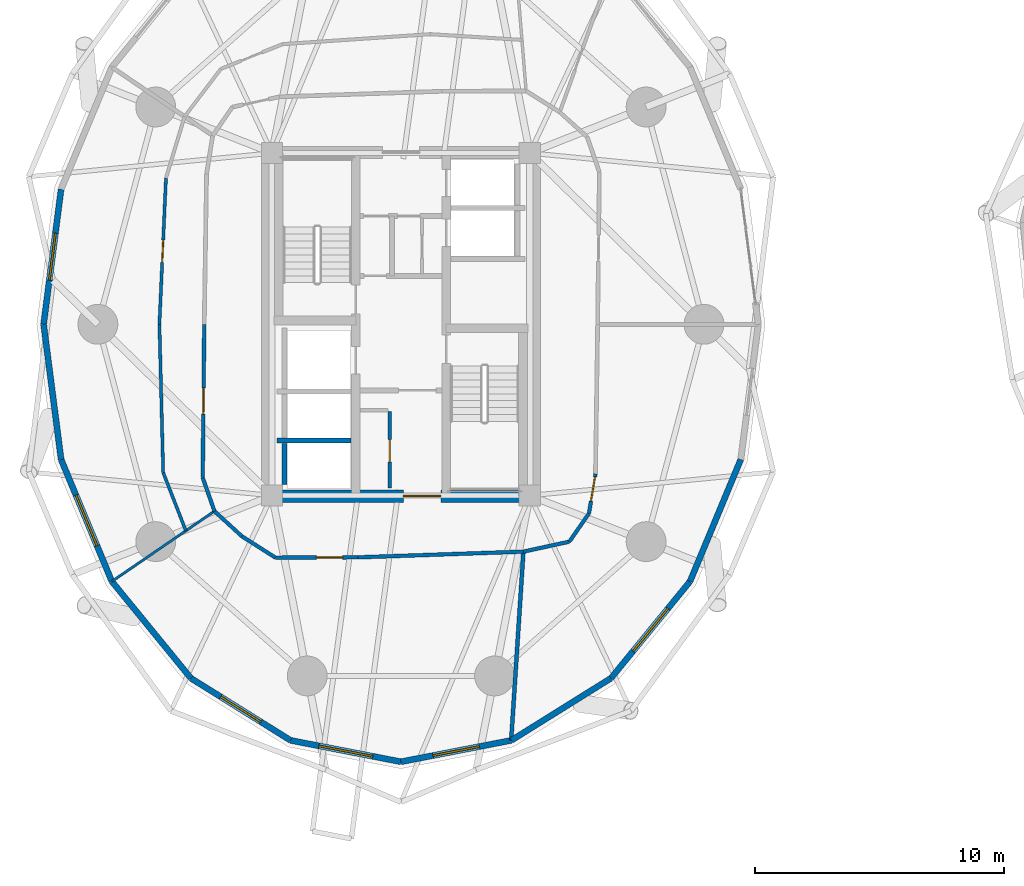
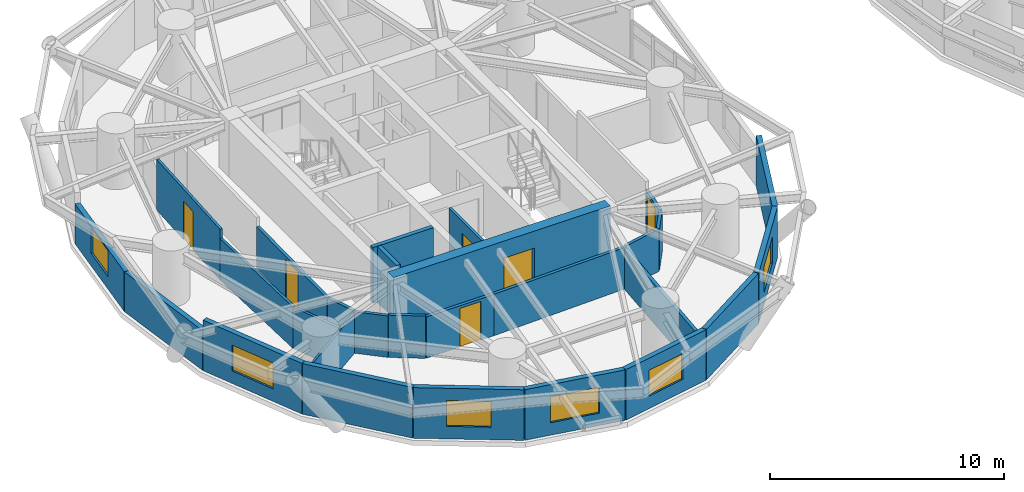
# One storey, part 9 of 17: 28 walls, 6 doors, 6 windows, 12 openings.
"""IFC4 building model written with IfcOpenShell, lengths in metres."""

from ifc_helpers import new_model, si_unit, direction, frame, frame_2d, origin, place, context, subcontext, project, spatial, rectangle, extrude, source, transform, mapped, material, layer, layer_set, type_object, element, fill, save


model = new_model("IFC4")

# Units and contexts
model_context = context("Model", 3, precision=1e-05, world=origin(), true_north=direction((0.0, 1.0)))
body_context = subcontext(model_context, "Body", "Model", "MODEL_VIEW")
ifc_project = project(units=[si_unit("LENGTHUNIT", "METRE"), si_unit("AREAUNIT", "SQUARE_METRE"), si_unit("VOLUMEUNIT", "CUBIC_METRE"), si_unit("PLANEANGLEUNIT", "RADIAN"), si_unit("MASSUNIT", "GRAM", prefix="KILO")], contexts=[model_context])

# Site, building, storey
site_placement = place(None, origin())
site = spatial("IfcSite", under=ifc_project, at=site_placement, CompositionType="ELEMENT")
building_placement = place(site_placement, origin())
building = spatial("IfcBuilding", under=site, at=building_placement, Name="Cununo Teusaquillo Station Towers", CompositionType="ELEMENT")
storey_placement = place(building_placement, frame((0.0, 0.0, 27.820068359375)))
storey = spatial("IfcBuildingStorey", under=building, at=storey_placement, Name="L07", CompositionType="ELEMENT", Elevation=27.820068359375)

# Walls
ifc_material_1 = material(Name="Concrete C50/60", Category="concrete")
ifc_layer_1 = layer(ifc_material_1, 0.199951171875)
ifc_layer_set_1 = layer_set([ifc_layer_1], Name="Concrete C50/60")
wall_type_1 = type_object("IfcWallType", Name="WL-CORE-200", PredefinedType="SHEAR", material=ifc_layer_set_1)
wall_1_placement = place(storey_placement, frame((11.52001953125, 19.824951171875, 0.0), z_axis=(0.0, 0.0, 1.0), x_axis=(1.0, 0.0, 0.0)))
element("IfcWall", 1, at=wall_1_placement, inside=storey, type_object=wall_type_1, Name="L07 Tower A High-Rise Lift Hoistway Divider Shear Wall", PredefinedType="SHEAR", context=body_context, shape_type="SweptSolid", body=[
    extrude(rectangle(XDim=2.969970703125, YDim=0.199951171875, at=frame_2d((1.48486328125, 0.0))), origin(), (0.0, 0.0, 1.0), 2.909912109375),
])
wall_2_placement = place(storey_placement, frame((11.820068359375, 18.070068359375, 0.0), z_axis=(0.0, 0.0, 1.0), x_axis=(0.0, 1.0, 0.0)))
element("IfcWall", 2, at=wall_2_placement, inside=storey, type_object=wall_type_1, Name="L07 Tower A High-Rise Lift 1 Shaft Rear Shear Wall", PredefinedType="SHEAR", context=body_context, shape_type="SweptSolid", body=[
    extrude(rectangle(XDim=1.635009765625, YDim=0.199951171875, at=frame_2d((0.8173828125, 0.0))), origin(), (0.0, 0.0, 1.0), 2.909912109375),
])

# Wall, opening, door
ifc_material_2 = material(Name="Concrete C60/75", Category="concrete")
ifc_layer_2 = layer(ifc_material_2, 0.5)
ifc_layer_set_2 = layer_set([ifc_layer_2], Name="Concrete C60/75")
wall_type_2 = type_object("IfcWallType", Name="WL-CORE-500", PredefinedType="SHEAR", material=ifc_layer_set_2)
wall_3_placement = place(storey_placement, frame((11.14990234375, 17.60009765625, 0.0), z_axis=(0.0, 0.0, 1.0), x_axis=(1.0, 0.0, 0.0)))
wall_3 = element("IfcWall", 3, at=wall_3_placement, inside=storey, type_object=wall_type_2, Name="L07 Tower A Core Shear Wall S", PredefinedType="SHEAR", context=body_context, shape_type="SweptSolid", body=[
    extrude(rectangle(XDim=10.7001953125, YDim=0.5, at=frame_2d((5.35009765625, 0.0))), origin(), (0.0, 0.0, 1.0), 2.909912109375),
])
shared_shape_1 = source(origin(), body_context, "Body", "SweptSolid", [
    extrude(rectangle(XDim=1.5, YDim=2.02001953125, at=frame_2d((0.75, 1.010009765625))), frame((0.0, 0.260009765625, 0.0), z_axis=(0.0, -1.0, 0.0), x_axis=(1.0, 0.0, 0.0)), (0.0, 0.0, 1.0), 0.52001953125),
])
opening_1_placement = place(wall_3_placement, frame((5.449951171875, 0.0, 0.0)))
opening_1 = element("IfcOpeningElement", 4, at=opening_1_placement, cuts=wall_3, Name="Opening D-LB1", PredefinedType="OPENING", context=body_context, shape_type="MappedRepresentation", body=[
    mapped(shared_shape_1, transform((0.0, 0.0, 0.0), x_axis=(1.0, 0.0, 0.0), y_axis=(0.0, 1.0, 0.0), z_axis=(0.0, 0.0, 1.0), scale=1.0)),
])
ifc_material_3 = material(Name="Galvanised fire-rated hollow steel door assembly", Category="steel")
door_type_1 = type_object("IfcDoorType", Name="DR-LOBBY-1500", OperationType="DOUBLE_DOOR_SINGLE_SWING", PredefinedType="DOOR", material=ifc_material_3)
shared_shape_2 = source(origin(), body_context, "Body", "SweptSolid", [
    extrude(rectangle(XDim=1.5, YDim=2.02001953125, at=frame_2d((0.75, 1.010009765625))), frame((0.0, 0.02490234375, 0.0), z_axis=(0.0, -1.0, 0.0), x_axis=(1.0, 0.0, 0.0)), (0.0, 0.0, 1.0), 0.050048828125),
])
door_1_placement = place(opening_1_placement, origin())
door_1 = element("IfcDoor", 5, at=door_1_placement, inside=storey, type_object=door_type_1, Name="L07 Tower A South Core Lift Lobby Door", OperationType="DOUBLE_DOOR_SINGLE_SWING", OverallHeight=2.02001953125, OverallWidth=1.5, PredefinedType="DOOR", context=body_context, shape_type="MappedRepresentation", body=[
    mapped(shared_shape_2, transform((0.0, 0.0, 0.0), x_axis=(1.0, 0.0, 0.0), y_axis=(0.0, 1.0, 0.0), z_axis=(0.0, 0.0, 1.0), scale=1.0)),
])
fill(opening_1, door_1)

# Wall, opening, window
ifc_material_4 = material(Name="Precast concrete C40/50", Category="concrete")
ifc_layer_3 = layer(ifc_material_4, 0.239990234375)
ifc_layer_set_3 = layer_set([ifc_layer_3], Name="Precast concrete C40/50")
wall_type_3 = type_object("IfcWallType", Name="WL-EXT-240", PredefinedType="SOLIDWALL", material=ifc_layer_set_3)
wall_4_placement = place(storey_placement, frame((2.14892578125, 24.5, 0.0), z_axis=(0.0, 0.0, 1.0), x_axis=(0.128298189174, 0.991735637483, 0.0)))
wall_4 = element("IfcWall", 6, at=wall_4_placement, inside=storey, type_object=wall_type_3, Name="L07 Tower A Exterior Facade Wall C09", PredefinedType="SOLIDWALL", context=body_context, shape_type="SweptSolid", body=[
    extrude(rectangle(XDim=5.474609375, YDim=0.239990234375, at=frame_2d((2.7373046875, 0.0))), origin(), (0.0, 0.0, 1.0), 2.072998046875),
])
shared_shape_3 = source(origin(), body_context, "Body", "SweptSolid", [
    extrude(rectangle(XDim=1.89990234375, YDim=1.35009765625, at=frame_2d((0.949951171875, 0.675048828125))), frame((0.0, 0.1298828125, 0.0), z_axis=(0.0, -1.0, 0.0), x_axis=(1.0, 0.0, 0.0)), (0.0, 0.0, 1.0), 0.260009765625),
])
opening_2_placement = place(wall_4_placement, frame((1.787109375, 0.0, 0.64990234375)))
opening_2 = element("IfcOpeningElement", 7, at=opening_2_placement, cuts=wall_4, Name="Opening WN-02", PredefinedType="OPENING", context=body_context, shape_type="MappedRepresentation", body=[
    mapped(shared_shape_3, transform((0.0, 0.0, 0.0), x_axis=(1.0, 0.0, 0.0), y_axis=(0.0, 1.0, 0.0), z_axis=(0.0, 0.0, 1.0), scale=1.0)),
])
ifc_material_5 = material(Name="Operable acoustic tinted low-E double glazing", Category="glass")
window_type_1 = type_object("IfcWindowType", Name="WIN-OPER-1900", PartitioningType="DOUBLE_PANEL_VERTICAL", PredefinedType="WINDOW", material=ifc_material_5)
shared_shape_4 = source(origin(), body_context, "Body", "SweptSolid", [
    extrude(rectangle(XDim=1.89990234375, YDim=1.35009765625, at=frame_2d((0.949951171875, 0.675048828125))), frame((0.0, 0.030029296875, 0.0), z_axis=(0.0, -1.0, 0.0), x_axis=(1.0, 0.0, 0.0)), (0.0, 0.0, 1.0), 0.06005859375),
])
window_1_placement = place(opening_2_placement, origin())
window_1 = element("IfcWindow", 8, at=window_1_placement, inside=storey, type_object=window_type_1, Name="L07 Tower A Facade Window C09", OverallHeight=1.35009765625, OverallWidth=1.89990234375, PartitioningType="DOUBLE_PANEL_VERTICAL", PredefinedType="WINDOW", context=body_context, shape_type="MappedRepresentation", body=[
    mapped(shared_shape_4, transform((0.0, 0.0, 0.0), x_axis=(1.0, 0.0, 0.0), y_axis=(0.0, 1.0, 0.0), z_axis=(0.0, 0.0, 1.0), scale=1.0)),
])
fill(opening_2, window_1)

# Wall
wall_5_placement = place(storey_placement, frame((2.851318359375, 19.070556640625, 0.0), z_axis=(0.0, 0.0, 1.0), x_axis=(-0.128298189174, 0.991735637483, 0.0)))
element("IfcWall", 9, at=wall_5_placement, inside=storey, type_object=wall_type_3, Name="L07 Tower A Exterior Facade Wall C10", PredefinedType="SOLIDWALL", context=body_context, shape_type="SweptSolid", body=[
    extrude(rectangle(XDim=5.474609375, YDim=0.239990234375, at=frame_2d((2.7373046875, 0.0))), origin(), (0.0, 0.0, 1.0), 2.072998046875),
])

# Wall, opening, window
wall_6_placement = place(storey_placement, frame((4.889892578125, 14.172607421875, 0.0), z_axis=(0.0, 0.0, 1.0), x_axis=(-0.384255919668, 0.923226618009, 0.0)))
wall_6 = element("IfcWall", 10, at=wall_6_placement, inside=storey, type_object=wall_type_3, Name="L07 Tower A Exterior Facade Wall C11", PredefinedType="SOLIDWALL", context=body_context, shape_type="SweptSolid", body=[
    extrude(rectangle(XDim=5.30517578125, YDim=0.239990234375, at=frame_2d((2.652587890625, 0.0))), origin(), (0.0, 0.0, 1.0), 2.635009765625),
])
shared_shape_5 = source(origin(), body_context, "Body", "SweptSolid", [
    extrude(rectangle(XDim=2.199951171875, YDim=1.35009765625, at=frame_2d((1.10009765625, 0.675048828125))), frame((0.0, 0.1298828125, 0.0), z_axis=(0.0, -1.0, 0.0), x_axis=(1.0, 0.0, 0.0)), (0.0, 0.0, 1.0), 0.260009765625),
])
opening_3_placement = place(wall_6_placement, frame((1.552978515625, 0.0, 0.64990234375)))
opening_3 = element("IfcOpeningElement", 11, at=opening_3_placement, cuts=wall_6, Name="Opening WN-01", PredefinedType="OPENING", context=body_context, shape_type="MappedRepresentation", body=[
    mapped(shared_shape_5, transform((0.0, 0.0, 0.0), x_axis=(1.0, 0.0, 0.0), y_axis=(0.0, 1.0, 0.0), z_axis=(0.0, 0.0, 1.0), scale=1.0)),
])
ifc_material_6 = material(Name="Ceramic-fritted dark low-E double glazing", Category="glass")
window_type_2 = type_object("IfcWindowType", Name="WIN-FRIT-2200", PartitioningType="DOUBLE_PANEL_VERTICAL", PredefinedType="WINDOW", material=ifc_material_6)
shared_shape_6 = source(origin(), body_context, "Body", "SweptSolid", [
    extrude(rectangle(XDim=2.199951171875, YDim=1.35009765625, at=frame_2d((1.10009765625, 0.675048828125))), frame((0.0, 0.030029296875, 0.0), z_axis=(0.0, -1.0, 0.0), x_axis=(1.0, 0.0, 0.0)), (0.0, 0.0, 1.0), 0.06005859375),
])
window_2_placement = place(opening_3_placement, origin())
window_2 = element("IfcWindow", 12, at=window_2_placement, inside=storey, type_object=window_type_2, Name="L07 Tower A Facade Window C11", OverallHeight=1.35009765625, OverallWidth=2.199951171875, PartitioningType="DOUBLE_PANEL_VERTICAL", PredefinedType="WINDOW", context=body_context, shape_type="MappedRepresentation", body=[
    mapped(shared_shape_6, transform((0.0, 0.0, 0.0), x_axis=(1.0, 0.0, 0.0), y_axis=(0.0, 1.0, 0.0), z_axis=(0.0, 0.0, 1.0), scale=1.0)),
])
fill(opening_3, window_2)

# Wall
wall_7_placement = place(storey_placement, frame((8.064697265625, 10.28564453125, 0.0), z_axis=(0.0, 0.0, 1.0), x_axis=(-0.632588557044, 0.774488035735, 0.0)))
element("IfcWall", 13, at=wall_7_placement, inside=storey, type_object=wall_type_3, Name="L07 Tower A Exterior Facade Wall C12", PredefinedType="SOLIDWALL", context=body_context, shape_type="SweptSolid", body=[
    extrude(rectangle(XDim=5.018798828125, YDim=0.239990234375, at=frame_2d((2.50927734375, 0.0))), origin(), (0.0, 0.0, 1.0), 2.635009765625),
])

# Wall, opening, window
wall_8_placement = place(storey_placement, frame((12.065185546875, 7.789794921875, 0.0), z_axis=(0.0, 0.0, 1.0), x_axis=(-0.848422721916, 0.529319265601, 0.0)))
wall_8 = element("IfcWall", 14, at=wall_8_placement, inside=storey, type_object=wall_type_3, Name="L07 Tower A Exterior Facade Wall C13", PredefinedType="SOLIDWALL", context=body_context, shape_type="SweptSolid", body=[
    extrude(rectangle(XDim=4.715087890625, YDim=0.239990234375, at=frame_2d((2.357421875, 0.0))), origin(), (0.0, 0.0, 1.0), 2.635009765625),
])
opening_4_placement = place(wall_8_placement, frame((1.407958984375, 0.0, 0.64990234375)))
opening_4 = element("IfcOpeningElement", 15, at=opening_4_placement, cuts=wall_8, Name="Opening WN-02", PredefinedType="OPENING", context=body_context, shape_type="MappedRepresentation", body=[
    mapped(shared_shape_3, transform((0.0, 0.0, 0.0), x_axis=(1.0, 0.0, 0.0), y_axis=(0.0, 1.0, 0.0), z_axis=(0.0, 0.0, 1.0), scale=1.0)),
])
window_3_placement = place(opening_4_placement, origin())
window_3 = element("IfcWindow", 16, at=window_3_placement, inside=storey, type_object=window_type_1, Name="L07 Tower A Facade Window C13", OverallHeight=1.35009765625, OverallWidth=1.89990234375, PartitioningType="DOUBLE_PANEL_VERTICAL", PredefinedType="WINDOW", context=body_context, shape_type="MappedRepresentation", body=[
    mapped(shared_shape_4, transform((0.0, 0.0, 0.0), x_axis=(1.0, 0.0, 0.0), y_axis=(0.0, 1.0, 0.0), z_axis=(0.0, 0.0, 1.0), scale=1.0)),
])
fill(opening_4, window_3)

wall_9_placement = place(storey_placement, frame((16.5, 6.929931640625, 0.0), z_axis=(0.0, 0.0, 1.0), x_axis=(-0.981717351035, 0.190344536766, 0.0)))
wall_9 = element("IfcWall", 17, at=wall_9_placement, inside=storey, type_object=wall_type_3, Name="L07 Tower A Exterior Facade Wall C14", PredefinedType="SOLIDWALL", context=body_context, shape_type="SweptSolid", body=[
    extrude(rectangle(XDim=4.517333984375, YDim=0.239990234375, at=frame_2d((2.2587890625, 0.0))), origin(), (0.0, 0.0, 1.0), 2.635009765625),
])
opening_5_placement = place(wall_9_placement, frame((1.158935546875, 0.0, 0.64990234375)))
opening_5 = element("IfcOpeningElement", 18, at=opening_5_placement, cuts=wall_9, Name="Opening WN-01", PredefinedType="OPENING", context=body_context, shape_type="MappedRepresentation", body=[
    mapped(shared_shape_5, transform((0.0, 0.0, 0.0), x_axis=(1.0, 0.0, 0.0), y_axis=(0.0, 1.0, 0.0), z_axis=(0.0, 0.0, 1.0), scale=1.0)),
])
window_4_placement = place(opening_5_placement, origin())
window_4 = element("IfcWindow", 19, at=window_4_placement, inside=storey, type_object=window_type_2, Name="L07 Tower A Facade Window C14", OverallHeight=1.35009765625, OverallWidth=2.199951171875, PartitioningType="DOUBLE_PANEL_VERTICAL", PredefinedType="WINDOW", context=body_context, shape_type="MappedRepresentation", body=[
    mapped(shared_shape_6, transform((0.0, 0.0, 0.0), x_axis=(1.0, 0.0, 0.0), y_axis=(0.0, 1.0, 0.0), z_axis=(0.0, 0.0, 1.0), scale=1.0)),
])
fill(opening_5, window_4)

wall_10_placement = place(storey_placement, frame((20.934814453125, 7.789794921875, 0.0), z_axis=(0.0, 0.0, 1.0), x_axis=(-0.981717351035, -0.190344536766, 0.0)))
wall_10 = element("IfcWall", 20, at=wall_10_placement, inside=storey, type_object=wall_type_3, Name="L07 Tower A Exterior Facade Wall C15", PredefinedType="SOLIDWALL", context=body_context, shape_type="SweptSolid", body=[
    extrude(rectangle(XDim=4.517333984375, YDim=0.239990234375, at=frame_2d((2.2587890625, 0.0))), origin(), (0.0, 0.0, 1.0), 2.635009765625),
])
opening_6_placement = place(wall_10_placement, frame((1.30908203125, 0.0, 0.64990234375)))
opening_6 = element("IfcOpeningElement", 21, at=opening_6_placement, cuts=wall_10, Name="Opening WN-02", PredefinedType="OPENING", context=body_context, shape_type="MappedRepresentation", body=[
    mapped(shared_shape_3, transform((0.0, 0.0, 0.0), x_axis=(1.0, 0.0, 0.0), y_axis=(0.0, 1.0, 0.0), z_axis=(0.0, 0.0, 1.0), scale=1.0)),
])
window_5_placement = place(opening_6_placement, origin())
window_5 = element("IfcWindow", 22, at=window_5_placement, inside=storey, type_object=window_type_1, Name="L07 Tower A Facade Window C15", OverallHeight=1.35009765625, OverallWidth=1.89990234375, PartitioningType="DOUBLE_PANEL_VERTICAL", PredefinedType="WINDOW", context=body_context, shape_type="MappedRepresentation", body=[
    mapped(shared_shape_4, transform((0.0, 0.0, 0.0), x_axis=(1.0, 0.0, 0.0), y_axis=(0.0, 1.0, 0.0), z_axis=(0.0, 0.0, 1.0), scale=1.0)),
])
fill(opening_6, window_5)

# Wall
wall_11_placement = place(storey_placement, frame((24.935302734375, 10.28564453125, 0.0), z_axis=(0.0, 0.0, 1.0), x_axis=(-0.848422721916, -0.529319265601, 0.0)))
element("IfcWall", 23, at=wall_11_placement, inside=storey, type_object=wall_type_3, Name="L07 Tower A Exterior Facade Wall C16", PredefinedType="SOLIDWALL", context=body_context, shape_type="SweptSolid", body=[
    extrude(rectangle(XDim=4.715087890625, YDim=0.239990234375, at=frame_2d((2.357421875, 0.0))), origin(), (0.0, 0.0, 1.0), 2.635009765625),
])

# Wall, opening, window
wall_12_placement = place(storey_placement, frame((28.110107421875, 14.172607421875, 0.0), z_axis=(0.0, 0.0, 1.0), x_axis=(-0.632588557044, -0.774488035735, 0.0)))
wall_12 = element("IfcWall", 24, at=wall_12_placement, inside=storey, type_object=wall_type_3, Name="L07 Tower A Exterior Facade Wall C17", PredefinedType="SOLIDWALL", context=body_context, shape_type="SweptSolid", body=[
    extrude(rectangle(XDim=5.018798828125, YDim=0.239990234375, at=frame_2d((2.50927734375, 0.0))), origin(), (0.0, 0.0, 1.0), 2.635009765625),
])
opening_7_placement = place(wall_12_placement, frame((1.408935546875, 0.0, 0.64990234375)))
opening_7 = element("IfcOpeningElement", 25, at=opening_7_placement, cuts=wall_12, Name="Opening WN-01", PredefinedType="OPENING", context=body_context, shape_type="MappedRepresentation", body=[
    mapped(shared_shape_5, transform((0.0, 0.0, 0.0), x_axis=(1.0, 0.0, 0.0), y_axis=(0.0, 1.0, 0.0), z_axis=(0.0, 0.0, 1.0), scale=1.0)),
])
window_6_placement = place(opening_7_placement, origin())
window_6 = element("IfcWindow", 26, at=window_6_placement, inside=storey, type_object=window_type_2, Name="L07 Tower A Facade Window C17", OverallHeight=1.35009765625, OverallWidth=2.199951171875, PartitioningType="DOUBLE_PANEL_VERTICAL", PredefinedType="WINDOW", context=body_context, shape_type="MappedRepresentation", body=[
    mapped(shared_shape_6, transform((0.0, 0.0, 0.0), x_axis=(1.0, 0.0, 0.0), y_axis=(0.0, 1.0, 0.0), z_axis=(0.0, 0.0, 1.0), scale=1.0)),
])
fill(opening_7, window_6)

# Walls
wall_13_placement = place(storey_placement, frame((30.148681640625, 19.070556640625, 0.0), z_axis=(0.0, 0.0, 1.0), x_axis=(-0.384255919668, -0.923226618009, 0.0)))
element("IfcWall", 27, at=wall_13_placement, inside=storey, type_object=wall_type_3, Name="L07 Tower A Exterior Facade Wall C18", PredefinedType="SOLIDWALL", context=body_context, shape_type="SweptSolid", body=[
    extrude(rectangle(XDim=5.30517578125, YDim=0.239990234375, at=frame_2d((2.652587890625, 0.0))), origin(), (0.0, 0.0, 1.0), 2.635009765625),
])
ifc_material_7 = material(Name="Fire-rated gypsum plasterboard partition assembly", Category="gypsum")
ifc_layer_4 = layer(ifc_material_7, 0.10009765625)
ifc_layer_set_4 = layer_set([ifc_layer_4], Name="Fire-rated gypsum plasterboard partition assembly")
wall_type_4 = type_object("IfcWallType", Name="WL-PART-100", PredefinedType="MOVABLE", material=ifc_layer_set_4)
wall_14_placement = place(storey_placement, frame((9.01025390625, 16.994384765625, 0.0), z_axis=(0.0, 0.0, 1.0), x_axis=(-0.825130244962, -0.564942544733, 0.0)))
element("IfcWall", 28, at=wall_14_placement, inside=storey, type_object=wall_type_4, Name="L07 Tower A Radial Suite Partition R04", PredefinedType="MOVABLE", context=body_context, shape_type="SweptSolid", body=[
    extrude(rectangle(XDim=4.97412109375, YDim=0.10009765625, at=frame_2d((2.487060546875, 0.0))), origin(), (0.0, 0.0, 1.0), 2.072998046875),
])

# Wall, opening, door
ifc_material_8 = material(Name="Fire-rated gypsum plasterboard partition assembly", Category="gypsum")
ifc_layer_5 = layer(ifc_material_8, 0.125)
ifc_layer_set_5 = layer_set([ifc_layer_5], Name="Fire-rated gypsum plasterboard partition assembly")
wall_type_5 = type_object("IfcWallType", Name="WL-PART-125", PredefinedType="PARTITIONING", material=ifc_layer_set_5)
wall_15_placement = place(storey_placement, frame((16.050048828125, 17.919921875, 0.0), z_axis=(0.0, 0.0, 1.0), x_axis=(0.0, 1.0, 0.0)))
wall_15 = element("IfcWall", 29, at=wall_15_placement, inside=storey, type_object=wall_type_5, Name="L07 Tower A South-West Tall Store East Wall", PredefinedType="PARTITIONING", context=body_context, shape_type="SweptSolid", body=[
    extrude(rectangle(XDim=3.080078125, YDim=0.125, at=frame_2d((1.5400390625, 0.0))), origin(), (0.0, 0.0, 1.0), 2.635009765625),
])
shared_shape_7 = source(origin(), body_context, "Body", "SweptSolid", [
    extrude(rectangle(XDim=0.89990234375, YDim=2.0048828125, at=frame_2d((0.449951171875, 1.00244140625))), frame((0.0, 0.072509765625, 0.0), z_axis=(0.0, -1.0, 0.0), x_axis=(1.0, 0.0, 0.0)), (0.0, 0.0, 1.0), 0.14501953125),
])
opening_8_placement = place(wall_15_placement, frame((1.050048828125, 0.0, 0.0)))
opening_8 = element("IfcOpeningElement", 30, at=opening_8_placement, cuts=wall_15, Name="Opening D-SR1", PredefinedType="OPENING", context=body_context, shape_type="MappedRepresentation", body=[
    mapped(shared_shape_7, transform((0.0, 0.0, 0.0), x_axis=(1.0, 0.0, 0.0), y_axis=(0.0, 1.0, 0.0), z_axis=(0.0, 0.0, 1.0), scale=1.0)),
])
ifc_material_9 = material(Name="Galvanised fire-rated hollow steel door assembly", Category="steel")
door_type_2 = type_object("IfcDoorType", Name="DR-STORE-900", OperationType="NOTDEFINED", PredefinedType="DOOR", material=ifc_material_9)
shared_shape_8 = source(origin(), body_context, "Body", "SweptSolid", [
    extrude(rectangle(XDim=0.89990234375, YDim=2.0048828125, at=frame_2d((0.449951171875, 1.00244140625))), frame((0.0, 0.02490234375, 0.0), z_axis=(0.0, -1.0, 0.0), x_axis=(1.0, 0.0, 0.0)), (0.0, 0.0, 1.0), 0.050048828125),
])
door_2_placement = place(opening_8_placement, origin())
door_2 = element("IfcDoor", 31, at=door_2_placement, inside=storey, type_object=door_type_2, Name="L07 Tower A South Cleaners Store Door", OperationType="SINGLE_SWING_RIGHT", OverallHeight=2.0048828125, OverallWidth=0.89990234375, PredefinedType="DOOR", context=body_context, shape_type="MappedRepresentation", body=[
    mapped(shared_shape_8, transform((0.0, 0.0, 0.0), x_axis=(1.0, 0.0, 0.0), y_axis=(0.0, 1.0, 0.0), z_axis=(0.0, 0.0, 1.0), scale=1.0)),
])
fill(opening_8, door_2)

wall_16_placement = place(storey_placement, frame((7.0625, 30.3701171875, 0.0), z_axis=(0.0, 0.0, 1.0), x_axis=(-0.044789476409, -0.998996447843, 0.0)))
wall_16 = element("IfcWall", 32, at=wall_16_placement, inside=storey, type_object=wall_type_5, Name="L07 Tower A Press & Broadcast Briefing Hall Concentric Partition Wall C09", PredefinedType="PARTITIONING", context=body_context, shape_type="SweptSolid", body=[
    extrude(rectangle(XDim=5.8759765625, YDim=0.125, at=frame_2d((2.93798828125, 0.0))), origin(), (0.0, 0.0, 1.0), 2.635009765625),
])
opening_9_placement = place(wall_16_placement, frame((2.488037109375, 0.0, 0.0)))
opening_9 = element("IfcOpeningElement", 33, at=opening_9_placement, cuts=wall_16, Name="Opening D-IN1", PredefinedType="OPENING", context=body_context, shape_type="MappedRepresentation", body=[
    mapped(shared_shape_7, transform((0.0, 0.0, 0.0), x_axis=(1.0, 0.0, 0.0), y_axis=(0.0, 1.0, 0.0), z_axis=(0.0, 0.0, 1.0), scale=1.0)),
])
ifc_material_10 = material(Name="Acoustic solid-core hardwood leaf assembly", Category="wood")
door_type_3 = type_object("IfcDoorType", Name="DR-INT-900", OperationType="NOTDEFINED", PredefinedType="DOOR", material=ifc_material_10)
door_3_placement = place(opening_9_placement, origin())
door_3 = element("IfcDoor", 34, at=door_3_placement, inside=storey, type_object=door_type_3, Name="L07 Tower A Press & Broadcast Briefing Hall Connecting Door", OperationType="SINGLE_SWING_RIGHT", OverallHeight=2.0048828125, OverallWidth=0.89990234375, PredefinedType="DOOR", context=body_context, shape_type="MappedRepresentation", body=[
    mapped(shared_shape_8, transform((0.0, 0.0, 0.0), x_axis=(1.0, 0.0, 0.0), y_axis=(0.0, 1.0, 0.0), z_axis=(0.0, 0.0, 1.0), scale=1.0)),
])
fill(opening_9, door_3)

# Walls
wall_17_placement = place(storey_placement, frame((6.79931640625, 24.5, 0.0), z_axis=(0.0, 0.0, 1.0), x_axis=(0.02553283421, -0.999673984045, 0.0)))
element("IfcWall", 35, at=wall_17_placement, inside=storey, type_object=wall_type_5, Name="L07 Tower A Press & Broadcast Briefing Hall Concentric Partition Wall C10", PredefinedType="PARTITIONING", context=body_context, shape_type="SweptSolid", body=[
    extrude(rectangle(XDim=5.95703125, YDim=0.125, at=frame_2d((2.978515625, 0.0))), origin(), (0.0, 0.0, 1.0), 2.158935546875),
])
wall_18_placement = place(storey_placement, frame((6.951416015625, 18.544921875, 0.0), z_axis=(0.0, 0.0, 1.0), x_axis=(0.362681113276, -0.931913306093, 0.0)))
element("IfcWall", 36, at=wall_18_placement, inside=storey, type_object=wall_type_5, Name="L07 Tower A Press & Broadcast Briefing Hall Concentric Partition Wall C11", PredefinedType="PARTITIONING", context=body_context, shape_type="SweptSolid", body=[
    extrude(rectangle(XDim=2.508056640625, YDim=0.125, at=frame_2d((1.25390625, 0.0))), origin(), (0.0, 0.0, 1.0), 2.158935546875),
])

# Wall, opening, door
ifc_material_11 = material(Name="Fire-rated gypsum plasterboard partition assembly", Category="gypsum")
ifc_layer_6 = layer(ifc_material_11, 0.14990234375)
ifc_layer_set_6 = layer_set([ifc_layer_6], Name="Fire-rated gypsum plasterboard partition assembly")
wall_type_6 = type_object("IfcWallType", Name="WL-PART-150", PredefinedType="PARTITIONING", material=ifc_layer_set_6)
wall_19_placement = place(storey_placement, frame((8.60009765625, 24.5, 0.0), z_axis=(0.0, 0.0, 1.0), x_axis=(-0.010023665349, -0.999949761805, 0.0)))
wall_19 = element("IfcWall", 37, at=wall_19_placement, inside=storey, type_object=wall_type_6, Name="L07 Tower A Corridor Ring Wall C10", PredefinedType="PARTITIONING", context=body_context, shape_type="SweptSolid", body=[
    extrude(rectangle(XDim=6.162109375, YDim=0.14990234375, at=frame_2d((3.0810546875, 0.0))), origin(), (0.0, 0.0, 1.0), 2.158935546875),
])
shared_shape_9 = source(origin(), body_context, "Body", "SweptSolid", [
    extrude(rectangle(XDim=1.050048828125, YDim=2.014892578125, at=frame_2d((0.52490234375, 1.00732421875))), frame((0.0, 0.0849609375, 0.0), z_axis=(0.0, -1.0, 0.0), x_axis=(1.0, 0.0, 0.0)), (0.0, 0.0, 1.0), 0.169921875),
])
opening_10_placement = place(wall_19_placement, frame((2.55615234375, 0.0, 0.0)))
opening_10 = element("IfcOpeningElement", 38, at=opening_10_placement, cuts=wall_19, Name="Opening D-SU1", PredefinedType="OPENING", context=body_context, shape_type="MappedRepresentation", body=[
    mapped(shared_shape_9, transform((0.0, 0.0, 0.0), x_axis=(1.0, 0.0, 0.0), y_axis=(0.0, 1.0, 0.0), z_axis=(0.0, 0.0, 1.0), scale=1.0)),
])
ifc_material_12 = material(Name="Acoustic solid-core hardwood leaf assembly", Category="wood")
door_type_4 = type_object("IfcDoorType", Name="DR-SUITE-1050", OperationType="NOTDEFINED", PredefinedType="DOOR", material=ifc_material_12)
shared_shape_10 = source(origin(), body_context, "Body", "SweptSolid", [
    extrude(rectangle(XDim=1.050048828125, YDim=2.014892578125, at=frame_2d((0.52490234375, 1.00732421875))), frame((0.0, 0.02490234375, 0.0), z_axis=(0.0, -1.0, 0.0), x_axis=(1.0, 0.0, 0.0)), (0.0, 0.0, 1.0), 0.050048828125),
])
door_4_placement = place(opening_10_placement, origin())
door_4 = element("IfcDoor", 39, at=door_4_placement, inside=storey, type_object=door_type_4, Name="L07 Tower A Press & Broadcast Briefing Hall Entrance Door", OperationType="SINGLE_SWING_LEFT", OverallHeight=2.014892578125, OverallWidth=1.050048828125, PredefinedType="DOOR", context=body_context, shape_type="MappedRepresentation", body=[
    mapped(shared_shape_10, transform((0.0, 0.0, 0.0), x_axis=(1.0, 0.0, 0.0), y_axis=(0.0, 1.0, 0.0), z_axis=(0.0, 0.0, 1.0), scale=1.0)),
])
fill(opening_10, door_4)

# Walls
wall_20_placement = place(storey_placement, frame((8.538330078125, 18.338134765625, 0.0), z_axis=(0.0, 0.0, 1.0), x_axis=(0.331358150167, -0.94350504838, 0.0)))
element("IfcWall", 40, at=wall_20_placement, inside=storey, type_object=wall_type_6, Name="L07 Tower A Corridor Ring Wall C11", PredefinedType="PARTITIONING", context=body_context, shape_type="SweptSolid", body=[
    extrude(rectangle(XDim=1.42431640625, YDim=0.14990234375, at=frame_2d((0.712158203125, 0.0))), origin(), (0.0, 0.0, 1.0), 2.204833984375),
])
wall_21_placement = place(storey_placement, frame((9.01025390625, 16.994384765625, 0.0), z_axis=(0.0, 0.0, 1.0), x_axis=(0.737701798986, -0.67512669609, 0.0)))
element("IfcWall", 41, at=wall_21_placement, inside=storey, type_object=wall_type_6, Name="L07 Tower A Corridor Ring Wall C12", PredefinedType="PARTITIONING", context=body_context, shape_type="SweptSolid", body=[
    extrude(rectangle(XDim=1.498291015625, YDim=0.14990234375, at=frame_2d((0.7490234375, 0.0))), origin(), (0.0, 0.0, 1.0), 2.158935546875),
])
wall_22_placement = place(storey_placement, frame((10.115478515625, 15.98291015625, 0.0), z_axis=(0.0, 0.0, 1.0), x_axis=(0.843995849351, -0.536349705209, 0.0)))
element("IfcWall", 42, at=wall_22_placement, inside=storey, type_object=wall_type_6, Name="L07 Tower A Corridor Ring Wall C13", PredefinedType="PARTITIONING", context=body_context, shape_type="SweptSolid", body=[
    extrude(rectangle(XDim=1.5927734375, YDim=0.14990234375, at=frame_2d((0.79638671875, 0.0))), origin(), (0.0, 0.0, 1.0), 2.204833984375),
])

# Wall, opening, door
wall_23_placement = place(storey_placement, frame((11.459716796875, 15.128662109375, 0.0), z_axis=(0.0, 0.0, 1.0), x_axis=(0.999993513287, 0.003601858435, 0.0)))
wall_23 = element("IfcWall", 43, at=wall_23_placement, inside=storey, type_object=wall_type_6, Name="L07 Tower A Corridor Ring Wall C14", PredefinedType="PARTITIONING", context=body_context, shape_type="SweptSolid", body=[
    extrude(rectangle(XDim=3.3212890625, YDim=0.14990234375, at=frame_2d((1.66064453125, 0.0))), origin(), (0.0, 0.0, 1.0), 2.158935546875),
])
opening_11_placement = place(wall_23_placement, frame((1.643310546875, 0.0, 0.0)))
opening_11 = element("IfcOpeningElement", 44, at=opening_11_placement, cuts=wall_23, Name="Opening D-SU1", PredefinedType="OPENING", context=body_context, shape_type="MappedRepresentation", body=[
    mapped(shared_shape_9, transform((0.0, 0.0, 0.0), x_axis=(1.0, 0.0, 0.0), y_axis=(0.0, 1.0, 0.0), z_axis=(0.0, 0.0, 1.0), scale=1.0)),
])
door_5_placement = place(opening_11_placement, origin())
door_5 = element("IfcDoor", 45, at=door_5_placement, inside=storey, type_object=door_type_4, Name="L07 Tower A Hospitality Pre-Function Lounge Entrance Door", OperationType="SINGLE_SWING_LEFT", OverallHeight=2.014892578125, OverallWidth=1.050048828125, PredefinedType="DOOR", context=body_context, shape_type="MappedRepresentation", body=[
    mapped(shared_shape_10, transform((0.0, 0.0, 0.0), x_axis=(1.0, 0.0, 0.0), y_axis=(0.0, 1.0, 0.0), z_axis=(0.0, 0.0, 1.0), scale=1.0)),
])
fill(opening_11, door_5)

# Walls
wall_24_placement = place(storey_placement, frame((14.781005859375, 15.140625, 0.0), z_axis=(0.0, 0.0, 1.0), x_axis=(0.999407918707, 0.034406569513, 0.0)))
element("IfcWall", 46, at=wall_24_placement, inside=storey, type_object=wall_type_6, Name="L07 Tower A Corridor Ring Wall C15", PredefinedType="PARTITIONING", context=body_context, shape_type="SweptSolid", body=[
    extrude(rectangle(XDim=6.6416015625, YDim=0.14990234375, at=frame_2d((3.32080078125, 0.0))), origin(), (0.0, 0.0, 1.0), 2.158935546875),
])
wall_25_placement = place(storey_placement, frame((21.418701171875, 15.369140625, 0.0), z_axis=(0.0, 0.0, 1.0), x_axis=(0.977192701953, 0.212354475464, 0.0)))
element("IfcWall", 47, at=wall_25_placement, inside=storey, type_object=wall_type_6, Name="L07 Tower A Corridor Ring Wall C16", PredefinedType="PARTITIONING", context=body_context, shape_type="SweptSolid", body=[
    extrude(rectangle(XDim=1.8876953125, YDim=0.14990234375, at=frame_2d((0.94384765625, 0.0))), origin(), (0.0, 0.0, 1.0), 2.204833984375),
])
wall_26_placement = place(storey_placement, frame((23.263427734375, 15.77001953125, 0.0), z_axis=(0.0, 0.0, 1.0), x_axis=(0.570743456919, 0.821128434768, 0.0)))
element("IfcWall", 48, at=wall_26_placement, inside=storey, type_object=wall_type_6, Name="L07 Tower A Corridor Ring Wall C17", PredefinedType="PARTITIONING", context=body_context, shape_type="SweptSolid", body=[
    extrude(rectangle(XDim=1.381591796875, YDim=0.14990234375, at=frame_2d((0.69091796875, 0.0))), origin(), (0.0, 0.0, 1.0), 2.158935546875),
])

# Wall, opening, door
wall_27_placement = place(storey_placement, frame((24.052001953125, 16.904541015625, 0.0), z_axis=(0.0, 0.0, 1.0), x_axis=(0.162091534225, 0.986775726562, 0.0)))
wall_27 = element("IfcWall", 49, at=wall_27_placement, inside=storey, type_object=wall_type_6, Name="L07 Tower A Corridor Ring Wall C18", PredefinedType="PARTITIONING", context=body_context, shape_type="SweptSolid", body=[
    extrude(rectangle(XDim=1.613037109375, YDim=0.14990234375, at=frame_2d((0.806640625, 0.0))), origin(), (0.0, 0.0, 1.0), 2.204833984375),
])
shared_shape_11 = source(origin(), body_context, "Body", "SweptSolid", [
    extrude(rectangle(XDim=1.0, YDim=2.014892578125, at=frame_2d((0.5, 1.00732421875))), frame((0.0, 0.0849609375, 0.0), z_axis=(0.0, -1.0, 0.0), x_axis=(1.0, 0.0, 0.0)), (0.0, 0.0, 1.0), 0.169921875),
])
opening_12_placement = place(wall_27_placement, frame((0.492919921875, 0.0, 0.0)))
opening_12 = element("IfcOpeningElement", 50, at=opening_12_placement, cuts=wall_27, Name="Opening D-AC1", PredefinedType="OPENING", context=body_context, shape_type="MappedRepresentation", body=[
    mapped(shared_shape_11, transform((0.0, 0.0, 0.0), x_axis=(1.0, 0.0, 0.0), y_axis=(0.0, 1.0, 0.0), z_axis=(0.0, 0.0, 1.0), scale=1.0)),
])
ifc_material_13 = material(Name="Acoustic solid-core hardwood leaf assembly", Category="wood")
door_type_5 = type_object("IfcDoorType", Name="DR-ACC-1000", OperationType="NOTDEFINED", PredefinedType="DOOR", material=ifc_material_13)
shared_shape_12 = source(origin(), body_context, "Body", "SweptSolid", [
    extrude(rectangle(XDim=1.0, YDim=2.014892578125, at=frame_2d((0.5, 1.00732421875))), frame((0.0, 0.02490234375, 0.0), z_axis=(0.0, -1.0, 0.0), x_axis=(1.0, 0.0, 0.0)), (0.0, 0.0, 1.0), 0.050048828125),
])
door_6_placement = place(opening_12_placement, origin())
door_6 = element("IfcDoor", 51, at=door_6_placement, inside=storey, type_object=door_type_5, Name="L07 Tower A Public Accessible Restroom WC Entrance Door", OperationType="SINGLE_SWING_RIGHT", OverallHeight=2.014892578125, OverallWidth=1.0, PredefinedType="DOOR", context=body_context, shape_type="MappedRepresentation", body=[
    mapped(shared_shape_12, transform((0.0, 0.0, 0.0), x_axis=(1.0, 0.0, 0.0), y_axis=(0.0, 1.0, 0.0), z_axis=(0.0, 0.0, 1.0), scale=1.0)),
])
fill(opening_12, door_6)

# Wall
ifc_material_14 = material(Name="Fire-rated gypsum plasterboard partition assembly", Category="gypsum")
ifc_layer_7 = layer(ifc_material_14, 0.159912109375)
ifc_layer_set_7 = layer_set([ifc_layer_7], Name="Fire-rated gypsum plasterboard partition assembly")
wall_type_7 = type_object("IfcWallType", Name="WL-PART-160", PredefinedType="PARTITIONING", material=ifc_layer_set_7)
wall_28_placement = place(storey_placement, frame((21.418701171875, 15.369140625, 0.0), z_axis=(0.0, 0.0, 1.0), x_axis=(-0.064709408161, -0.997904149954, 0.0)))
element("IfcWall", 52, at=wall_28_placement, inside=storey, type_object=wall_type_7, Name="L07 Tower A Radial Suite Partition R05", PredefinedType="PARTITIONING", context=body_context, shape_type="SweptSolid", body=[
    extrude(rectangle(XDim=7.575927734375, YDim=0.159912109375, at=frame_2d((3.7880859375, 0.0))), origin(), (0.0, 0.0, 1.0), 2.072998046875),
])

save(model, "model.ifc")
